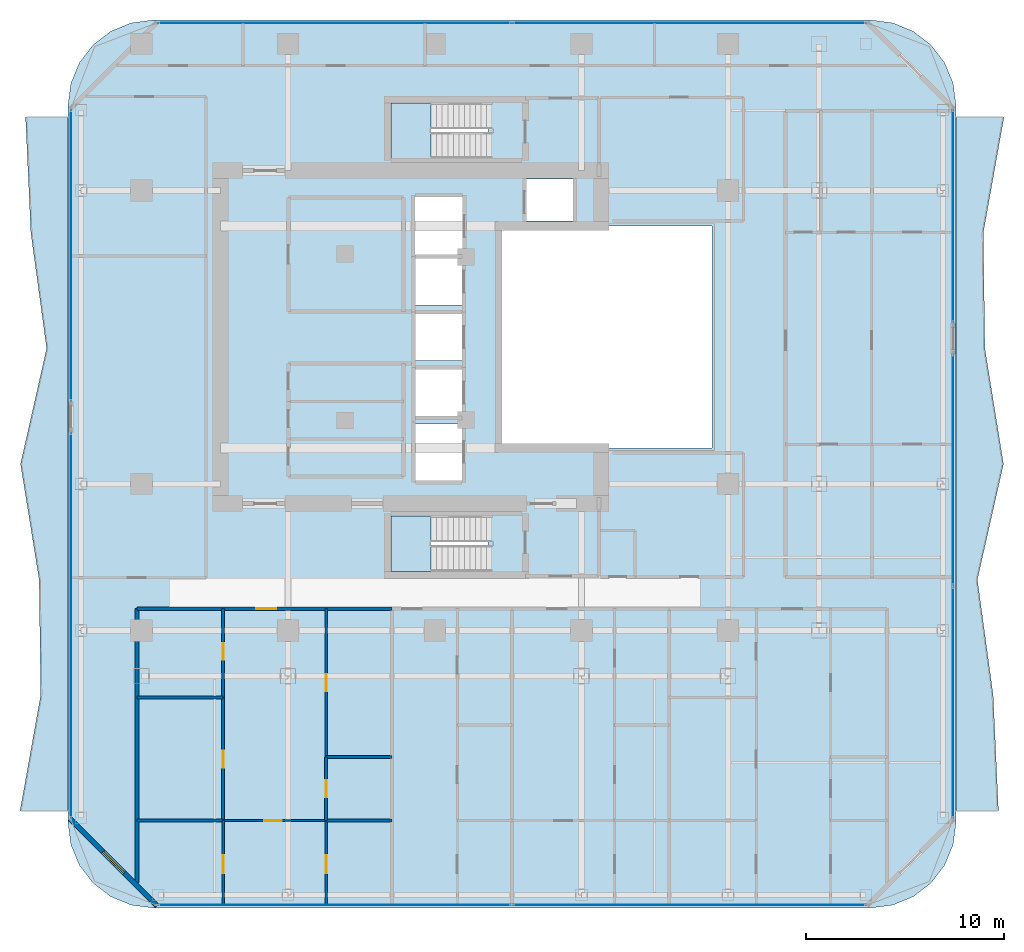
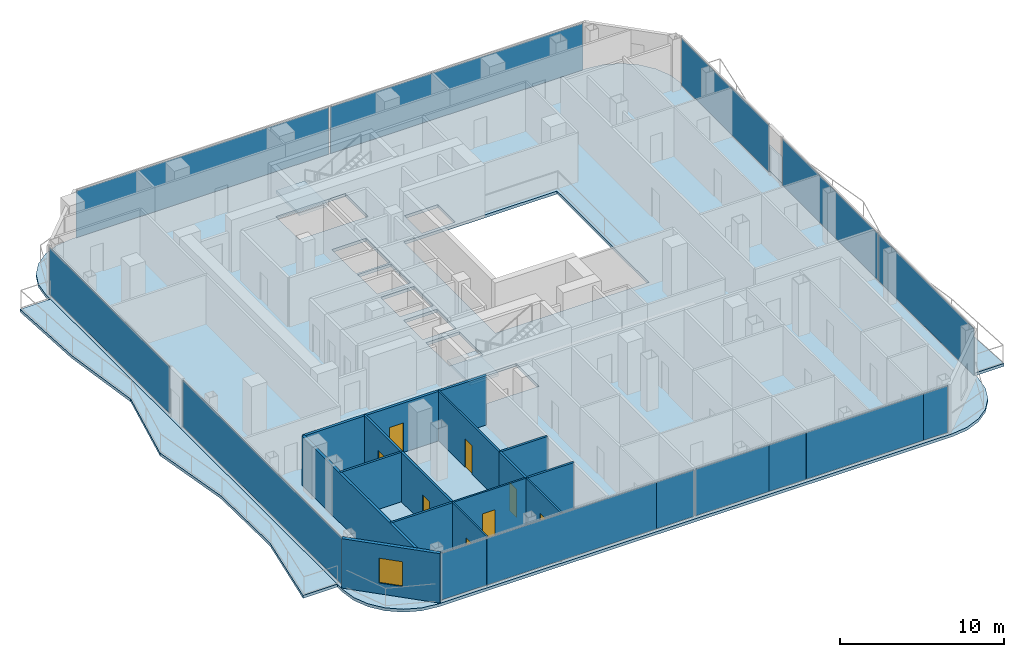
# One storey, part 19 of 26: 14 plates, 14 walls, 8 doors, 5 slabs, 1 window, 9 openings, 8 elements without a shape of their own.
"""IFC4 building model written with IfcOpenShell, lengths in metres."""

from ifc_helpers import new_model, si_unit, direction, frame, frame_2d, origin, origin_2d, place, context, subcontext, project, spatial, polyline, rectangle, outline, extrude, material, layer, layer_set, type_object, element, fill, aggregate, save


model = new_model("IFC4")

# Units and contexts
model_context = context("Model", 3, precision=1e-05, world=origin(), true_north=direction((0.0, 1.0)))
body_context = subcontext(model_context, "Body", "Model", "MODEL_VIEW")
ifc_project = project(units=[si_unit("LENGTHUNIT", "METRE"), si_unit("AREAUNIT", "SQUARE_METRE"), si_unit("VOLUMEUNIT", "CUBIC_METRE"), si_unit("PLANEANGLEUNIT", "RADIAN"), si_unit("MASSUNIT", "GRAM", prefix="KILO")], contexts=[model_context])

# Site, building, storey
site_placement = place(None, origin())
site = spatial("IfcSite", under=ifc_project, at=site_placement, CompositionType="ELEMENT")
building_placement = place(site_placement, origin())
building = spatial("IfcBuilding", under=site, at=building_placement, Name="Khorvyn Point Tower", CompositionType="ELEMENT")
storey_placement = place(building_placement, frame((0.0, 0.0, 223.5)))
storey = spatial("IfcBuildingStorey", under=building, at=storey_placement, Name="L55", CompositionType="ELEMENT", Elevation=223.5)

# Slabs
ifc_material_1 = material(Name="Concrete C35/45", Category="concrete")
ifc_layer_1 = layer(ifc_material_1, 0.219970703125)
ifc_layer_set_1 = layer_set([ifc_layer_1], Name="Concrete C35/45 Structural Floor Slab 220")
slab_type_1 = type_object("IfcSlabType", Name="Concrete C35/45 Structural Floor Slab 220", PredefinedType="FLOOR", material=ifc_layer_set_1)
slab_1_placement = place(storey_placement, frame((0.0, 0.0, -0.219970703125)))
element("IfcSlab", 1, at=slab_1_placement, inside=storey, type_object=slab_type_1, Name="L55 Main Structural Floor Slab", PredefinedType="FLOOR", context=body_context, shape_type="SweptSolid", body=[
    extrude(outline(polyline([(-14.199951171875, -28.800048828125), (-15.31298828125, -28.653564453125), (-16.35009765625, -28.223876953125), (-17.240478515625, -27.54052734375), (-17.923828125, -26.64990234375), (-18.353515625, -25.61279296875), (-18.5, -24.5), (-18.5, 11.699951171875), (-18.353515625, 12.81298828125), (-17.923828125, 13.85009765625), (-17.240478515625, 14.740478515625), (-16.35009765625, 15.423828125), (-15.31298828125, 15.853515625), (-14.199951171875, 16.0), (22.0, 16.0), (23.11279296875, 15.853515625), (24.14990234375, 15.423828125), (25.04052734375, 14.740478515625), (25.723876953125, 13.85009765625), (26.153564453125, 12.81298828125), (26.300048828125, 11.699951171875), (26.300048828125, -24.5), (26.153564453125, -25.61279296875), (25.723876953125, -26.64990234375), (25.04052734375, -27.54052734375), (24.14990234375, -28.223876953125), (23.11279296875, -28.653564453125), (22.0, -28.800048828125), (-14.199951171875, -28.800048828125)]), holes=[polyline([(2.679931640625, -11.820068359375), (2.679931640625, -9.02001953125), (-2.199951171875, -9.02001953125), (-2.199951171875, -11.820068359375), (2.679931640625, -11.820068359375)]), polyline([(1.375, -7.22509765625), (1.375, -4.375), (-0.97509765625, -4.375), (-0.97509765625, -7.22509765625), (1.375, -7.22509765625)]), polyline([(1.375, -3.97509765625), (1.375, -1.625), (-0.97509765625, -1.625), (-0.97509765625, -3.97509765625), (1.375, -3.97509765625)]), polyline([(1.375, -1.175048828125), (1.375, 1.175048828125), (-0.97509765625, 1.175048828125), (-0.97509765625, -1.175048828125), (1.375, -1.175048828125)]), polyline([(14.0, -5.60009765625), (14.0, 5.60009765625), (3.199951171875, 5.60009765625), (3.199951171875, -5.60009765625), (14.0, -5.60009765625)]), polyline([(1.375, 1.625), (1.375, 3.97509765625), (-0.97509765625, 3.97509765625), (-0.97509765625, 1.625), (1.375, 1.625)]), polyline([(1.39990234375, 4.125), (1.39990234375, 7.074951171875), (-1.0, 7.074951171875), (-1.0, 4.125), (1.39990234375, 4.125)]), polyline([(4.625, 5.85009765625), (6.97509765625, 5.85009765625), (6.97509765625, 7.97998046875), (4.625, 7.97998046875), (4.625, 5.85009765625)]), polyline([(-2.199951171875, 9.02001953125), (2.679931640625, 9.02001953125), (2.679931640625, 11.820068359375), (-2.199951171875, 11.820068359375), (-2.199951171875, 9.02001953125)])]), origin(), (0.0, 0.0, 1.0), 0.219970703125),
])
ifc_material_2 = material(Name="Concrete C40/50", Category="concrete")
ifc_layer_2 = layer(ifc_material_2, 0.2099609375)
ifc_layer_set_2 = layer_set([ifc_layer_2], Name="Concrete C40/50 Rippling Balcony Slab 210")
slab_type_2 = type_object("IfcSlabType", Name="Concrete C40/50 Rippling Balcony Slab 210", PredefinedType="USERDEFINED", material=ifc_layer_set_2)
slab_2_placement = place(storey_placement, frame((0.0, 0.0, -0.2099609375)))
element("IfcSlab", 2, at=slab_2_placement, inside=storey, type_object=slab_type_2, Name="L55 East Sinusoidal Rippling Balcony", ObjectType="BALCONY", PredefinedType="USERDEFINED", context=body_context, shape_type="SweptSolid", body=[
    extrude(outline(polyline([(26.300048828125, -23.89990234375), (28.443603515625, -23.89990234375), (28.177490234375, -18.066650390625), (27.38037109375, -12.2333984375), (28.69775390625, -6.39990234375), (27.7578125, -0.566650390625), (27.679931640625, 5.2666015625), (28.722412109375, 11.10009765625), (26.300048828125, 11.10009765625), (26.300048828125, -23.89990234375)])), origin(), (0.0, 0.0, 1.0), 0.2099609375),
])
slab_3_placement = place(storey_placement, frame((0.0, 0.0, -0.2099609375)))
element("IfcSlab", 3, at=slab_3_placement, inside=storey, type_object=slab_type_2, Name="L55 West Sinusoidal Rippling Balcony", ObjectType="BALCONY", PredefinedType="USERDEFINED", context=body_context, shape_type="SweptSolid", body=[
    extrude(outline(polyline([(-18.5, 11.10009765625), (-20.6435546875, 11.10009765625), (-20.37744140625, 5.2666015625), (-19.580322265625, -0.566650390625), (-20.897705078125, -6.39990234375), (-19.957763671875, -12.2333984375), (-19.8798828125, -18.066650390625), (-20.922607421875, -23.89990234375), (-18.5, -23.89990234375), (-18.5, 11.10009765625)])), origin(), (0.0, 0.0, 1.0), 0.2099609375),
])

# Stair, slab
stair_type = type_object("IfcStairType", Name="Tower Concrete C40/50 Dogleg Exit Stair", PredefinedType="HALF_TURN_STAIR", material=ifc_material_2)
stair_1_placement = place(storey_placement, origin())
stair_1 = element("IfcStair", 4, at=stair_1_placement, inside=storey, type_object=stair_type, Name="L55 Tower Smokeproof Exit Stair South", PredefinedType="HALF_TURN_STAIR")
ifc_layer_3 = layer(ifc_material_2, 0.199951171875)
ifc_layer_set_3 = layer_set([ifc_layer_3], Name="Concrete C40/50 Stair Landing Slab 200")
slab_type_3 = type_object("IfcSlabType", Name="Concrete C40/50 Stair Landing Slab 200", PredefinedType="LANDING", material=ifc_layer_set_3)
slab_4_placement = place(storey_placement, frame((0.0, 0.0, 1.75)))
slab_4 = element("IfcSlab", 5, at=slab_4_placement, type_object=slab_type_3, Name="ST-01 landing 1", PredefinedType="LANDING", context=body_context, shape_type="SweptSolid", body=[
    extrude(outline(polyline([(-0.179931640625, -9.02001953125), (-2.199951171875, -9.02001953125), (-2.199951171875, -11.820068359375), (-0.179931640625, -11.820068359375), (-0.179931640625, -9.02001953125)])), origin(), (0.0, 0.0, 1.0), 0.199951171875),
])
aggregate(stair_1, [slab_4])

stair_2_placement = place(storey_placement, origin())
stair_2 = element("IfcStair", 6, at=stair_2_placement, inside=storey, type_object=stair_type, Name="L55 Tower Smokeproof Exit Stair North", PredefinedType="HALF_TURN_STAIR")
slab_5_placement = place(storey_placement, frame((0.0, 0.0, 1.75)))
slab_5 = element("IfcSlab", 7, at=slab_5_placement, type_object=slab_type_3, Name="ST-02 landing 1", PredefinedType="LANDING", context=body_context, shape_type="SweptSolid", body=[
    extrude(outline(polyline([(-0.179931640625, 11.820068359375), (-2.199951171875, 11.820068359375), (-2.199951171875, 9.02001953125), (-0.179931640625, 9.02001953125), (-0.179931640625, 11.820068359375)])), origin(), (0.0, 0.0, 1.0), 0.199951171875),
])
aggregate(stair_2, [slab_5])

# Curtain wall, plates
ifc_material_3 = material(Name="Anodised aluminium 6063-T6 and laminated Low-E glass", Category="aluminium")
ifc_layer_4 = layer(ifc_material_3, 0.18994140625)
ifc_layer_set_4 = layer_set([ifc_layer_4], Name="Stick-Built Acoustic Curtain Wall CW-SYS-03")
curtain_wall_type = type_object("IfcCurtainWallType", Name="Stick-Built Acoustic Curtain Wall CW-SYS-03", PredefinedType="NOTDEFINED", material=ifc_layer_set_4)
curtain_wall_1_placement = place(storey_placement, origin())
curtain_wall_1 = element("IfcCurtainWall", 8, at=curtain_wall_1_placement, inside=storey, type_object=curtain_wall_type, Name="Curtain Wall", PredefinedType="NOTDEFINED")
ifc_material_4 = material(Name="Laminated Low-E insulated glass", Category="glass")
ifc_layer_5 = layer(ifc_material_4, 0.028076171875)
ifc_layer_set_5 = layer_set([ifc_layer_5], Name="Tempered Low-E Vision Glazing Panel CW-GL28")
plate_type = type_object("IfcPlateType", Name="Tempered Low-E Vision Glazing Panel CW-GL28", PredefinedType="CURTAIN_PANEL", material=ifc_layer_set_5)
plate_1_placement = place(storey_placement, frame((6.54345703125, -28.64990234375, 0.10009765625), z_axis=(0.0, 0.0, 1.0), x_axis=(-1.0, 0.0, 0.0)))
plate_1 = element("IfcPlate", 9, at=plate_1_placement, type_object=plate_type, Name="Panel", PredefinedType="CURTAIN_PANEL", context=body_context, shape_type="SweptSolid", body=[
    extrude(rectangle(XDim=5.178955078125, YDim=0.028076171875, at=origin_2d()), origin(), (0.0, 0.0, 1.0), 3.47998046875),
])
plate_2_placement = place(storey_placement, frame((10.451904296875, -28.64990234375, 0.10009765625), z_axis=(0.0, 0.0, 1.0), x_axis=(-1.0, 0.0, 0.0)))
plate_2 = element("IfcPlate", 10, at=plate_2_placement, type_object=plate_type, Name="Panel", PredefinedType="CURTAIN_PANEL", context=body_context, shape_type="SweptSolid", body=[
    extrude(rectangle(XDim=2.6220703125, YDim=0.028076171875, at=origin_2d()), origin(), (0.0, 0.0, 1.0), 3.47998046875),
])
plate_3_placement = place(storey_placement, frame((15.8984375, -28.64990234375, 0.10009765625), z_axis=(0.0, 0.0, 1.0), x_axis=(-1.0, 0.0, 0.0)))
plate_3 = element("IfcPlate", 11, at=plate_3_placement, type_object=plate_type, Name="Panel", PredefinedType="CURTAIN_PANEL", context=body_context, shape_type="SweptSolid", body=[
    extrude(rectangle(XDim=8.2548828125, YDim=0.028076171875, at=origin_2d()), origin(), (0.0, 0.0, 1.0), 3.47998046875),
])
plate_4_placement = place(storey_placement, frame((20.889892578125, -28.64990234375, 0.10009765625), z_axis=(0.0, 0.0, 1.0), x_axis=(-1.0, 0.0, 0.0)))
plate_4 = element("IfcPlate", 12, at=plate_4_placement, type_object=plate_type, Name="Panel", PredefinedType="CURTAIN_PANEL", context=body_context, shape_type="SweptSolid", body=[
    extrude(rectangle(XDim=1.7119140625, YDim=0.028076171875, at=origin_2d()), origin(), (0.0, 0.0, 1.0), 3.47998046875),
])
plate_5_placement = place(storey_placement, frame((-12.341064453125, -28.64990234375, 0.10009765625), z_axis=(0.0, 0.0, 1.0), x_axis=(-1.0, 0.0, 0.0)))
plate_5 = element("IfcPlate", 13, at=plate_5_placement, type_object=plate_type, Name="Panel", PredefinedType="CURTAIN_PANEL", context=body_context, shape_type="SweptSolid", body=[
    extrude(rectangle(XDim=3.2099609375, YDim=0.028076171875, at=origin_2d()), origin(), (0.0, 0.0, 1.0), 3.47998046875),
])
plate_6_placement = place(storey_placement, frame((-4.760986328125, -28.64990234375, 0.10009765625), z_axis=(0.0, 0.0, 1.0), x_axis=(-1.0, 0.0, 0.0)))
plate_6 = element("IfcPlate", 14, at=plate_6_placement, type_object=plate_type, Name="Panel", PredefinedType="CURTAIN_PANEL", context=body_context, shape_type="SweptSolid", body=[
    extrude(rectangle(XDim=11.93408203125, YDim=0.028076171875, at=origin_2d()), origin(), (0.0, 0.0, 1.0), 3.47998046875),
])
plate_7_placement = place(storey_placement, frame((2.530029296875, -28.64990234375, 0.10009765625), z_axis=(0.0, 0.0, 1.0), x_axis=(-1.0, 0.0, 0.0)))
plate_7 = element("IfcPlate", 15, at=plate_7_placement, type_object=plate_type, Name="Panel", PredefinedType="CURTAIN_PANEL", context=body_context, shape_type="SweptSolid", body=[
    extrude(rectangle(XDim=2.632080078125, YDim=0.028076171875, at=origin_2d()), origin(), (0.0, 0.0, 1.0), 3.47998046875),
])
aggregate(curtain_wall_1, [plate_1, plate_2, plate_3, plate_4, plate_5, plate_6, plate_7])

curtain_wall_2_placement = place(storey_placement, origin())
curtain_wall_2 = element("IfcCurtainWall", 16, at=curtain_wall_2_placement, inside=storey, type_object=curtain_wall_type, Name="Curtain Wall", PredefinedType="NOTDEFINED")
plate_8_placement = place(storey_placement, frame((-5.050048828125, 15.85009765625, 0.10009765625), z_axis=(0.0, 0.0, 1.0), x_axis=(1.0, 0.0, 0.0)))
plate_8 = element("IfcPlate", 17, at=plate_8_placement, type_object=plate_type, Name="Panel", PredefinedType="CURTAIN_PANEL", context=body_context, shape_type="SweptSolid", body=[
    extrude(rectangle(XDim=17.800048828125, YDim=0.028076171875, at=origin_2d()), origin(), (0.0, 0.0, 1.0), 3.47998046875),
])
plate_9_placement = place(storey_placement, frame((12.85009765625, 15.85009765625, 0.10009765625), z_axis=(0.0, 0.0, 1.0), x_axis=(1.0, 0.0, 0.0)))
plate_9 = element("IfcPlate", 18, at=plate_9_placement, type_object=plate_type, Name="Panel", PredefinedType="CURTAIN_PANEL", context=body_context, shape_type="SweptSolid", body=[
    extrude(rectangle(XDim=17.800048828125, YDim=0.028076171875, at=origin_2d()), origin(), (0.0, 0.0, 1.0), 3.47998046875),
])
aggregate(curtain_wall_2, [plate_8, plate_9])

# Curtain wall, plate
curtain_wall_3_placement = place(storey_placement, origin())
curtain_wall_3 = element("IfcCurtainWall", 19, at=curtain_wall_3_placement, inside=storey, type_object=curtain_wall_type, Name="Curtain Wall", PredefinedType="NOTDEFINED")
plate_10_placement = place(storey_placement, frame((-18.35009765625, -14.550048828125, 0.10009765625), z_axis=(0.0, 0.0, 1.0), x_axis=(0.0, 1.0, 0.0)))
plate_10 = element("IfcPlate", 20, at=plate_10_placement, type_object=plate_type, Name="Panel", PredefinedType="CURTAIN_PANEL", context=body_context, shape_type="SweptSolid", body=[
    extrude(rectangle(XDim=19.39990234375, YDim=0.028076171875, at=origin_2d()), origin(), (0.0, 0.0, 1.0), 3.47998046875),
])
aggregate(curtain_wall_3, [plate_10])

curtain_wall_4_placement = place(storey_placement, origin())
curtain_wall_4 = element("IfcCurtainWall", 21, at=curtain_wall_4_placement, inside=storey, type_object=curtain_wall_type, Name="Curtain Wall", PredefinedType="NOTDEFINED")
plate_11_placement = place(storey_placement, frame((-18.35009765625, 4.1201171875, 0.10009765625), z_axis=(0.0, 0.0, 1.0), x_axis=(0.0, 1.0, 0.0)))
plate_11 = element("IfcPlate", 22, at=plate_11_placement, type_object=plate_type, Name="Panel", PredefinedType="CURTAIN_PANEL", context=body_context, shape_type="SweptSolid", body=[
    extrude(rectangle(XDim=14.659912109375, YDim=0.028076171875, at=origin_2d()), origin(), (0.0, 0.0, 1.0), 3.47998046875),
])
aggregate(curtain_wall_4, [plate_11])

curtain_wall_5_placement = place(storey_placement, origin())
curtain_wall_5 = element("IfcCurtainWall", 23, at=curtain_wall_5_placement, inside=storey, type_object=curtain_wall_type, Name="Curtain Wall", PredefinedType="NOTDEFINED")
plate_12_placement = place(storey_placement, frame((26.14990234375, 6.1025390625, 0.10009765625), z_axis=(0.0, 0.0, 1.0), x_axis=(0.0, -1.0, 0.0)))
plate_12 = element("IfcPlate", 24, at=plate_12_placement, type_object=plate_type, Name="Panel", PredefinedType="CURTAIN_PANEL", context=body_context, shape_type="SweptSolid", body=[
    extrude(rectangle(XDim=10.695068359375, YDim=0.028076171875, at=origin_2d()), origin(), (0.0, 0.0, 1.0), 3.47998046875),
])
aggregate(curtain_wall_5, [plate_12])

# Curtain wall, plates
curtain_wall_6_placement = place(storey_placement, origin())
curtain_wall_6 = element("IfcCurtainWall", 25, at=curtain_wall_6_placement, inside=storey, type_object=curtain_wall_type, Name="Curtain Wall", PredefinedType="NOTDEFINED")
plate_13_placement = place(storey_placement, frame((26.14990234375, -6.701171875, 0.10009765625), z_axis=(0.0, 0.0, 1.0), x_axis=(0.0, -1.0, 0.0)))
plate_13 = element("IfcPlate", 26, at=plate_13_placement, type_object=plate_type, Name="Panel", PredefinedType="CURTAIN_PANEL", context=body_context, shape_type="SweptSolid", body=[
    extrude(rectangle(XDim=11.632568359375, YDim=0.028076171875, at=origin_2d()), origin(), (0.0, 0.0, 1.0), 3.47998046875),
])
plate_14_placement = place(storey_placement, frame((26.14990234375, -18.433837890625, 0.10009765625), z_axis=(0.0, 0.0, 1.0), x_axis=(0.0, -1.0, 0.0)))
plate_14 = element("IfcPlate", 27, at=plate_14_placement, type_object=plate_type, Name="Panel", PredefinedType="CURTAIN_PANEL", context=body_context, shape_type="SweptSolid", body=[
    extrude(rectangle(XDim=11.632568359375, YDim=0.028076171875, at=origin_2d()), origin(), (0.0, 0.0, 1.0), 3.47998046875),
])
aggregate(curtain_wall_6, [plate_13, plate_14])

# Wall, opening, door
ifc_material_5 = material(Name="Double acoustic gypsum on twin steel stud", Category="steel")
ifc_layer_6 = layer(ifc_material_5, 0.179931640625)
ifc_layer_set_6 = layer_set([ifc_layer_6], Name="Acoustic Double-Stud Apartment Demising Wall 180")
wall_type_1 = type_object("IfcWallType", Name="Acoustic Double-Stud Apartment Demising Wall 180", PredefinedType="PARTITIONING", material=ifc_layer_set_6)
wall_1_placement = place(storey_placement, frame((-15.02001953125, -13.699951171875, 0.0), z_axis=(0.0, 0.0, 1.0), x_axis=(1.0, 0.0, 0.0)))
wall_1 = element("IfcWall", 28, at=wall_1_placement, inside=storey, type_object=wall_type_1, Name="Wall", PredefinedType="PARTITIONING", context=body_context, shape_type="SweptSolid", body=[
    extrude(rectangle(XDim=12.865966796875, YDim=0.179931640625, at=frame_2d((6.43310546875, 0.0))), origin(), (0.0, 0.0, 1.0), 3.679931640625),
])
opening_1_placement = place(wall_1_placement, frame((6.021728515625, 0.0, 0.0)))
opening_1 = element("IfcOpeningElement", 29, at=opening_1_placement, cuts=wall_1, Name="Opening ID-AP60", PredefinedType="OPENING", context=body_context, shape_type="SweptSolid", body=[
    extrude(rectangle(XDim=1.0, YDim=2.199951171875, at=frame_2d((0.5, 1.10009765625))), frame((0.0, 0.099853515625, 0.0), z_axis=(0.0, -1.0, 0.0), x_axis=(1.0, 0.0, 0.0)), (0.0, 0.0, 1.0), 0.199951171875),
])
ifc_material_6 = material(Name="Engineered hardwood fire-rated leaf", Category="wood")
door_type_1 = type_object("IfcDoorType", Name="Acoustic Solid-Core Timber Apartment Entrance Door 1000x2200", OperationType="NOTDEFINED", PredefinedType="DOOR", material=ifc_material_6)
door_1_placement = place(opening_1_placement, origin())
door_1 = element("IfcDoor", 30, at=door_1_placement, inside=storey, type_object=door_type_1, Name="Door", OperationType="SINGLE_SWING_LEFT", OverallHeight=2.199951171875, OverallWidth=1.0, PredefinedType="DOOR", context=body_context, shape_type="SweptSolid", body=[
    extrude(rectangle(XDim=1.0, YDim=2.199951171875, at=frame_2d((0.5, 1.10009765625))), frame((0.0, 0.02490234375, 0.0), z_axis=(0.0, -1.0, 0.0), x_axis=(1.0, 0.0, 0.0)), (0.0, 0.0, 1.0), 0.050048828125),
])
fill(opening_1, door_1)

# Wall
wall_2_placement = place(storey_placement, frame((-15.02001953125, -27.510009765625, 0.0), z_axis=(0.0, 0.0, 1.0), x_axis=(0.0, 1.0, 0.0)))
element("IfcWall", 31, at=wall_2_placement, inside=storey, type_object=wall_type_1, Name="Wall", PredefinedType="PARTITIONING", context=body_context, shape_type="SweptSolid", body=[
    extrude(rectangle(XDim=13.81005859375, YDim=0.179931640625, at=frame_2d((6.905029296875, 0.0))), origin(), (0.0, 0.0, 1.0), 3.679931640625),
])

# Wall, opening, window
ifc_material_7 = material(Name="Pale anodised aluminium rainscreen on steel stud", Category="steel")
ifc_layer_7 = layer(ifc_material_7, 0.239990234375)
ifc_layer_set_7 = layer_set([ifc_layer_7], Name="Anodised Aluminium Insulated Corner Spandrel Wall 240")
wall_type_2 = type_object("IfcWallType", Name="Anodised Aluminium Insulated Corner Spandrel Wall 240", PredefinedType="SOLIDWALL", material=ifc_layer_set_7)
wall_3_placement = place(storey_placement, frame((-14.007568359375, -28.6923828125, 0.0), z_axis=(0.0, 0.0, 1.0), x_axis=(-0.707106781187, 0.707106781187, 0.0)))
wall_3 = element("IfcWall", 32, at=wall_3_placement, inside=storey, type_object=wall_type_2, Name="L55 Rounded Corner Wall SW", PredefinedType="SOLIDWALL", context=body_context, shape_type="SweptSolid", body=[
    extrude(rectangle(XDim=6.200927734375, YDim=0.239990234375, at=frame_2d((3.1005859375, 0.0))), origin(), (0.0, 0.0, 1.0), 3.679931640625),
])
opening_2_placement = place(wall_3_placement, frame((2.3505859375, 0.0, 0.800048828125)))
opening_2 = element("IfcOpeningElement", 33, at=opening_2_placement, cuts=wall_3, Name="Opening WN-1518", PredefinedType="OPENING", context=body_context, shape_type="SweptSolid", body=[
    extrude(rectangle(XDim=1.5, YDim=1.85009765625, at=frame_2d((0.75, 0.925048828125))), frame((0.0, 0.1298828125, 0.0), z_axis=(0.0, -1.0, 0.0), x_axis=(1.0, 0.0, 0.0)), (0.0, 0.0, 1.0), 0.260009765625),
])
window_type = type_object("IfcWindowType", Name="Anodised Aluminium Rounded-Corner Panoramic Window 1500x1850", PartitioningType="SINGLE_PANEL", PredefinedType="WINDOW", material=ifc_material_3)
window_placement = place(opening_2_placement, origin())
window = element("IfcWindow", 34, at=window_placement, inside=storey, type_object=window_type, Name="L55 Corner Panoramic Window SW", OverallHeight=1.85009765625, OverallWidth=1.5, PartitioningType="SINGLE_PANEL", PredefinedType="WINDOW", context=body_context, shape_type="SweptSolid", body=[
    extrude(rectangle(XDim=1.5, YDim=1.85009765625, at=frame_2d((0.75, 0.925048828125))), frame((0.0, 0.030029296875, 0.0), z_axis=(0.0, -1.0, 0.0), x_axis=(1.0, 0.0, 0.0)), (0.0, 0.0, 1.0), 0.06005859375),
])
fill(opening_2, window)

# Wall, opening, door
ifc_material_8 = material(Name="Gypsum plasterboard on steel stud", Category="steel")
ifc_layer_8 = layer(ifc_material_8, 0.1201171875)
ifc_layer_set_8 = layer_set([ifc_layer_8], Name="Gypsum Acoustic Stud Room Partition Wall 120")
wall_type_3 = type_object("IfcWallType", Name="Gypsum Acoustic Stud Room Partition Wall 120", PredefinedType="PARTITIONING", material=ifc_layer_set_8)
wall_4_placement = place(storey_placement, frame((-10.672119140625, -24.389892578125, 0.0), z_axis=(0.0, 0.0, 1.0), x_axis=(1.0, 0.0, 0.0)))
wall_4 = element("IfcWall", 35, at=wall_4_placement, inside=storey, type_object=wall_type_3, Name="Wall", PredefinedType="PARTITIONING", context=body_context, shape_type="SweptSolid", body=[
    extrude(rectangle(XDim=5.193115234375, YDim=0.1201171875, at=frame_2d((2.5966796875, 0.0))), origin(), (0.0, 0.0, 1.0), 3.679931640625),
])
opening_3_placement = place(wall_4_placement, frame((2.06005859375, 0.0, 0.0)))
opening_3 = element("IfcOpeningElement", 36, at=opening_3_placement, cuts=wall_4, Name="Opening ID-RM90", PredefinedType="OPENING", context=body_context, shape_type="SweptSolid", body=[
    extrude(rectangle(XDim=0.89990234375, YDim=2.10009765625, at=frame_2d((0.449951171875, 1.050048828125))), frame((0.0, 0.070068359375, 0.0), z_axis=(0.0, -1.0, 0.0), x_axis=(1.0, 0.0, 0.0)), (0.0, 0.0, 1.0), 0.14013671875),
])
ifc_material_9 = material(Name="Engineered oak veneer timber", Category="wood")
door_type_2 = type_object("IfcDoorType", Name="Flush Engineered Timber Room Door 900x2100", OperationType="NOTDEFINED", PredefinedType="DOOR", material=ifc_material_9)
door_2_placement = place(opening_3_placement, origin())
door_2 = element("IfcDoor", 37, at=door_2_placement, inside=storey, type_object=door_type_2, Name="Door", OperationType="SINGLE_SWING_RIGHT", OverallHeight=2.10009765625, OverallWidth=0.89990234375, PredefinedType="DOOR", context=body_context, shape_type="SweptSolid", body=[
    extrude(rectangle(XDim=0.89990234375, YDim=2.10009765625, at=frame_2d((0.449951171875, 1.050048828125))), frame((0.0, 0.02490234375, 0.0), z_axis=(0.0, -1.0, 0.0), x_axis=(1.0, 0.0, 0.0)), (0.0, 0.0, 1.0), 0.050048828125),
])
fill(opening_3, door_2)

wall_5_placement = place(storey_placement, frame((-10.672119140625, -28.6298828125, 0.0), z_axis=(0.0, 0.0, 1.0), x_axis=(0.0, 1.0, 0.0)))
wall_5 = element("IfcWall", 38, at=wall_5_placement, inside=storey, type_object=wall_type_3, Name="Wall", PredefinedType="PARTITIONING", context=body_context, shape_type="SweptSolid", body=[
    extrude(rectangle(XDim=4.239990234375, YDim=0.1201171875, at=frame_2d((2.1201171875, 0.0))), origin(), (0.0, 0.0, 1.0), 3.679931640625),
])
opening_4_placement = place(wall_5_placement, frame((1.581298828125, 0.0, 0.0)))
opening_4 = element("IfcOpeningElement", 39, at=opening_4_placement, cuts=wall_5, Name="Opening ID-RM90", PredefinedType="OPENING", context=body_context, shape_type="SweptSolid", body=[
    extrude(rectangle(XDim=0.89990234375, YDim=2.10009765625, at=frame_2d((0.449951171875, 1.050048828125))), frame((0.0, 0.070068359375, 0.0), z_axis=(0.0, -1.0, 0.0), x_axis=(1.0, 0.0, 0.0)), (0.0, 0.0, 1.0), 0.14013671875),
])
door_3_placement = place(opening_4_placement, origin())
door_3 = element("IfcDoor", 40, at=door_3_placement, inside=storey, type_object=door_type_2, Name="Door", OperationType="SINGLE_SWING_LEFT", OverallHeight=2.10009765625, OverallWidth=0.89990234375, PredefinedType="DOOR", context=body_context, shape_type="SweptSolid", body=[
    extrude(rectangle(XDim=0.89990234375, YDim=2.10009765625, at=frame_2d((0.449951171875, 1.050048828125))), frame((0.0, 0.02490234375, 0.0), z_axis=(0.0, -1.0, 0.0), x_axis=(1.0, 0.0, 0.0)), (0.0, 0.0, 1.0), 0.050048828125),
])
fill(opening_4, door_3)

wall_6_placement = place(storey_placement, frame((-5.47900390625, -21.18310546875, 0.0), z_axis=(0.0, 0.0, 1.0), x_axis=(0.0, 1.0, 0.0)))
wall_6 = element("IfcWall", 41, at=wall_6_placement, inside=storey, type_object=wall_type_3, Name="Wall", PredefinedType="PARTITIONING", context=body_context, shape_type="SweptSolid", body=[
    extrude(rectangle(XDim=7.483154296875, YDim=0.1201171875, at=frame_2d((3.74169921875, 0.0))), origin(), (0.0, 0.0, 1.0), 3.679931640625),
])
opening_5_placement = place(wall_6_placement, frame((3.31640625, 0.0, 0.0)))
opening_5 = element("IfcOpeningElement", 42, at=opening_5_placement, cuts=wall_6, Name="Opening ID-WC85", PredefinedType="OPENING", context=body_context, shape_type="SweptSolid", body=[
    extrude(rectangle(XDim=0.85009765625, YDim=2.10009765625, at=frame_2d((0.425048828125, 1.050048828125))), frame((0.0, 0.070068359375, 0.0), z_axis=(0.0, -1.0, 0.0), x_axis=(1.0, 0.0, 0.0)), (0.0, 0.0, 1.0), 0.14013671875),
])
ifc_material_10 = material(Name="High-pressure laminate on moisture-resistant core", Category="wood")
door_type_3 = type_object("IfcDoorType", Name="Moisture-Resistant Accessible Washroom Door 850x2100", OperationType="NOTDEFINED", PredefinedType="DOOR", material=ifc_material_10)
door_4_placement = place(opening_5_placement, origin())
door_4 = element("IfcDoor", 43, at=door_4_placement, inside=storey, type_object=door_type_3, Name="Door", OperationType="SINGLE_SWING_LEFT", OverallHeight=2.10009765625, OverallWidth=0.85009765625, PredefinedType="DOOR", context=body_context, shape_type="SweptSolid", body=[
    extrude(rectangle(XDim=0.85009765625, YDim=2.10009765625, at=frame_2d((0.425048828125, 1.050048828125))), frame((0.0, 0.02490234375, 0.0), z_axis=(0.0, -1.0, 0.0), x_axis=(1.0, 0.0, 0.0)), (0.0, 0.0, 1.0), 0.050048828125),
])
fill(opening_5, door_4)

wall_7_placement = place(storey_placement, frame((-5.47900390625, -28.6298828125, 0.0), z_axis=(0.0, 0.0, 1.0), x_axis=(0.0, 1.0, 0.0)))
wall_7 = element("IfcWall", 44, at=wall_7_placement, inside=storey, type_object=wall_type_3, Name="Wall", PredefinedType="PARTITIONING", context=body_context, shape_type="SweptSolid", body=[
    extrude(rectangle(XDim=4.239990234375, YDim=0.1201171875, at=frame_2d((2.1201171875, 0.0))), origin(), (0.0, 0.0, 1.0), 3.679931640625),
])
opening_6_placement = place(wall_7_placement, frame((1.581298828125, 0.0, 0.0)))
opening_6 = element("IfcOpeningElement", 45, at=opening_6_placement, cuts=wall_7, Name="Opening ID-RM90", PredefinedType="OPENING", context=body_context, shape_type="SweptSolid", body=[
    extrude(rectangle(XDim=0.89990234375, YDim=2.10009765625, at=frame_2d((0.449951171875, 1.050048828125))), frame((0.0, 0.070068359375, 0.0), z_axis=(0.0, -1.0, 0.0), x_axis=(1.0, 0.0, 0.0)), (0.0, 0.0, 1.0), 0.14013671875),
])
door_5_placement = place(opening_6_placement, origin())
door_5 = element("IfcDoor", 46, at=door_5_placement, inside=storey, type_object=door_type_2, Name="Door", OperationType="SINGLE_SWING_RIGHT", OverallHeight=2.10009765625, OverallWidth=0.89990234375, PredefinedType="DOOR", context=body_context, shape_type="SweptSolid", body=[
    extrude(rectangle(XDim=0.89990234375, YDim=2.10009765625, at=frame_2d((0.449951171875, 1.050048828125))), frame((0.0, 0.02490234375, 0.0), z_axis=(0.0, -1.0, 0.0), x_axis=(1.0, 0.0, 0.0)), (0.0, 0.0, 1.0), 0.050048828125),
])
fill(opening_6, door_5)

ifc_material_11 = material(Name="Moisture-resistant gypsum and cement board", Category="gypsum")
ifc_layer_9 = layer(ifc_material_11, 0.14990234375)
ifc_layer_set_9 = layer_set([ifc_layer_9], Name="Moisture-Resistant Wet-Room Partition Wall 150")
wall_type_4 = type_object("IfcWallType", Name="Moisture-Resistant Wet-Room Partition Wall 150", PredefinedType="PARTITIONING", material=ifc_layer_set_9)
wall_8_placement = place(storey_placement, frame((-10.672119140625, -24.389892578125, 0.0), z_axis=(0.0, 0.0, 1.0), x_axis=(0.0, 1.0, 0.0)))
wall_8 = element("IfcWall", 47, at=wall_8_placement, inside=storey, type_object=wall_type_4, Name="Wall", PredefinedType="PARTITIONING", context=body_context, shape_type="SweptSolid", body=[
    extrude(rectangle(XDim=6.199951171875, YDim=0.14990234375, at=frame_2d((3.10009765625, 0.0))), origin(), (0.0, 0.0, 1.0), 3.679931640625),
])
opening_7_placement = place(wall_8_placement, frame((2.675048828125, 0.0, 0.0)))
opening_7 = element("IfcOpeningElement", 48, at=opening_7_placement, cuts=wall_8, Name="Opening ID-WC85", PredefinedType="OPENING", context=body_context, shape_type="SweptSolid", body=[
    extrude(rectangle(XDim=0.85009765625, YDim=2.10009765625, at=frame_2d((0.425048828125, 1.050048828125))), frame((0.0, 0.0849609375, 0.0), z_axis=(0.0, -1.0, 0.0), x_axis=(1.0, 0.0, 0.0)), (0.0, 0.0, 1.0), 0.169921875),
])
door_6_placement = place(opening_7_placement, origin())
door_6 = element("IfcDoor", 49, at=door_6_placement, inside=storey, type_object=door_type_3, Name="Door", OperationType="SINGLE_SWING_LEFT", OverallHeight=2.10009765625, OverallWidth=0.85009765625, PredefinedType="DOOR", context=body_context, shape_type="SweptSolid", body=[
    extrude(rectangle(XDim=0.85009765625, YDim=2.10009765625, at=frame_2d((0.425048828125, 1.050048828125))), frame((0.0, 0.02490234375, 0.0), z_axis=(0.0, -1.0, 0.0), x_axis=(1.0, 0.0, 0.0)), (0.0, 0.0, 1.0), 0.050048828125),
])
fill(opening_7, door_6)

wall_9_placement = place(storey_placement, frame((-10.672119140625, -18.18994140625, 0.0), z_axis=(0.0, 0.0, 1.0), x_axis=(0.0, 1.0, 0.0)))
wall_9 = element("IfcWall", 50, at=wall_9_placement, inside=storey, type_object=wall_type_4, Name="Wall", PredefinedType="PARTITIONING", context=body_context, shape_type="SweptSolid", body=[
    extrude(rectangle(XDim=4.489990234375, YDim=0.14990234375, at=frame_2d((2.2451171875, 0.0))), origin(), (0.0, 0.0, 1.0), 3.679931640625),
])
opening_8_placement = place(wall_9_placement, frame((1.907470703125, 0.0, 0.0)))
opening_8 = element("IfcOpeningElement", 51, at=opening_8_placement, cuts=wall_9, Name="Opening ID-WC85", PredefinedType="OPENING", context=body_context, shape_type="SweptSolid", body=[
    extrude(rectangle(XDim=0.85009765625, YDim=2.10009765625, at=frame_2d((0.425048828125, 1.050048828125))), frame((0.0, 0.0849609375, 0.0), z_axis=(0.0, -1.0, 0.0), x_axis=(1.0, 0.0, 0.0)), (0.0, 0.0, 1.0), 0.169921875),
])
door_7_placement = place(opening_8_placement, origin())
door_7 = element("IfcDoor", 52, at=door_7_placement, inside=storey, type_object=door_type_3, Name="Door", OperationType="SINGLE_SWING_RIGHT", OverallHeight=2.10009765625, OverallWidth=0.85009765625, PredefinedType="DOOR", context=body_context, shape_type="SweptSolid", body=[
    extrude(rectangle(XDim=0.85009765625, YDim=2.10009765625, at=frame_2d((0.425048828125, 1.050048828125))), frame((0.0, 0.02490234375, 0.0), z_axis=(0.0, -1.0, 0.0), x_axis=(1.0, 0.0, 0.0)), (0.0, 0.0, 1.0), 0.050048828125),
])
fill(opening_8, door_7)

wall_10_placement = place(storey_placement, frame((-5.47900390625, -24.389892578125, 0.0), z_axis=(0.0, 0.0, 1.0), x_axis=(0.0, 1.0, 0.0)))
wall_10 = element("IfcWall", 53, at=wall_10_placement, inside=storey, type_object=wall_type_4, Name="Wall", PredefinedType="PARTITIONING", context=body_context, shape_type="SweptSolid", body=[
    extrude(rectangle(XDim=3.206787109375, YDim=0.14990234375, at=frame_2d((1.603515625, 0.0))), origin(), (0.0, 0.0, 1.0), 3.679931640625),
])
opening_9_placement = place(wall_10_placement, frame((1.178466796875, 0.0, 0.0)))
opening_9 = element("IfcOpeningElement", 54, at=opening_9_placement, cuts=wall_10, Name="Opening ID-WC85", PredefinedType="OPENING", context=body_context, shape_type="SweptSolid", body=[
    extrude(rectangle(XDim=0.85009765625, YDim=2.10009765625, at=frame_2d((0.425048828125, 1.050048828125))), frame((0.0, 0.0849609375, 0.0), z_axis=(0.0, -1.0, 0.0), x_axis=(1.0, 0.0, 0.0)), (0.0, 0.0, 1.0), 0.169921875),
])
door_8_placement = place(opening_9_placement, origin())
door_8 = element("IfcDoor", 55, at=door_8_placement, inside=storey, type_object=door_type_3, Name="Door", OperationType="SINGLE_SWING_RIGHT", OverallHeight=2.10009765625, OverallWidth=0.85009765625, PredefinedType="DOOR", context=body_context, shape_type="SweptSolid", body=[
    extrude(rectangle(XDim=0.85009765625, YDim=2.10009765625, at=frame_2d((0.425048828125, 1.050048828125))), frame((0.0, 0.02490234375, 0.0), z_axis=(0.0, -1.0, 0.0), x_axis=(1.0, 0.0, 0.0)), (0.0, 0.0, 1.0), 0.050048828125),
])
fill(opening_9, door_8)

# Walls
for number, where, z_axis, x_axis, name in (
    (56, (-15.02001953125, -18.18994140625, 0.0), (0.0, 0.0, 1.0), (1.0, 0.0, 0.0), "Wall"),
    (57, (-15.02001953125, -24.389892578125, 0.0), (0.0, 0.0, 1.0), (1.0, 0.0, 0.0), "Wall"),
):
    element("IfcWall", number, at=place(storey_placement, frame(where, z_axis=z_axis, x_axis=x_axis)), inside=storey, type_object=wall_type_4, Name=name, PredefinedType="PARTITIONING", context=body_context, shape_type="SweptSolid", body=[
        extrude(rectangle(XDim=4.347900390625, YDim=0.14990234375, at=frame_2d((2.173828125, 0.0))), origin(), (0.0, 0.0, 1.0), 3.679931640625),
    ])
for number, where, z_axis, x_axis, name in (
    (58, (-5.47900390625, -21.18310546875, 0.0), (0.0, 0.0, 1.0), (1.0, 0.0, 0.0), "Wall"),
    (59, (-5.47900390625, -24.389892578125, 0.0), (0.0, 0.0, 1.0), (1.0, 0.0, 0.0), "Wall"),
):
    element("IfcWall", number, at=place(storey_placement, frame(where, z_axis=z_axis, x_axis=x_axis)), inside=storey, type_object=wall_type_4, Name=name, PredefinedType="PARTITIONING", context=body_context, shape_type="SweptSolid", body=[
        extrude(rectangle(XDim=3.324951171875, YDim=0.14990234375, at=frame_2d((1.66259765625, 0.0))), origin(), (0.0, 0.0, 1.0), 3.679931640625),
    ])

save(model, "model.ifc")
